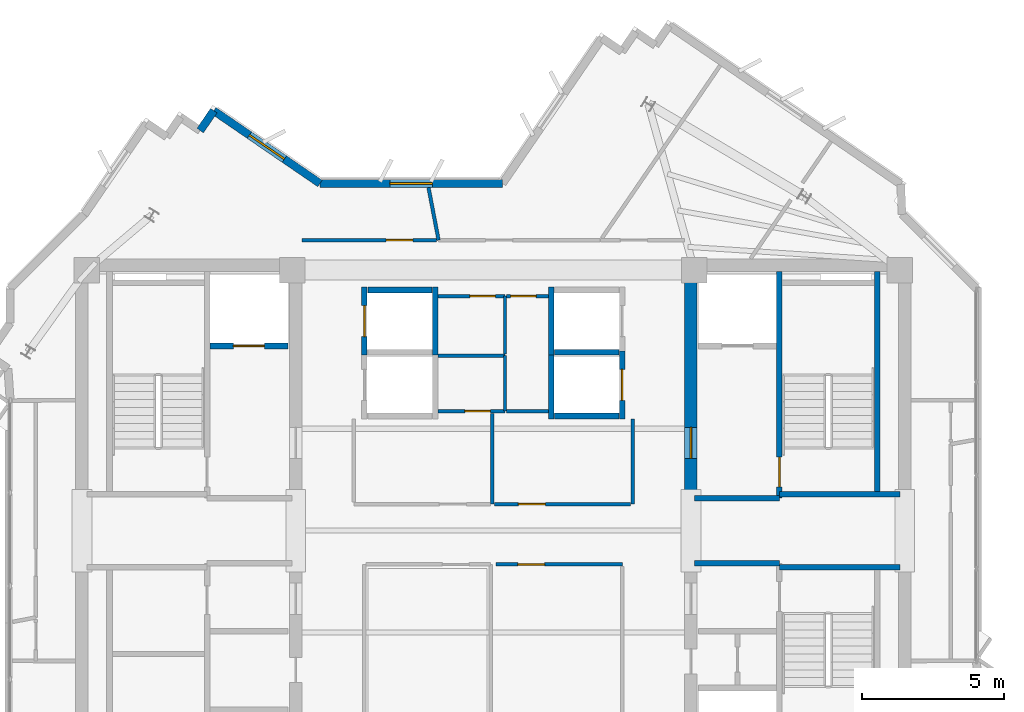
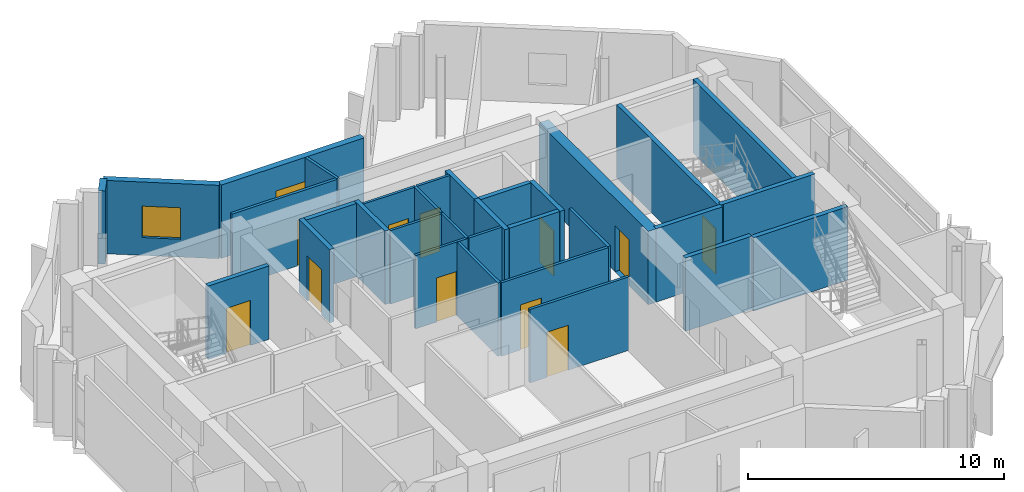
# One storey, part 7 of 11: 32 walls, 11 doors, 2 windows, 13 openings.
"""IFC4 building model written with IfcOpenShell, lengths in metres."""

from ifc_helpers import new_model, si_unit, direction, frame, frame_2d, origin, place, context, subcontext, project, spatial, rectangle, extrude, source, transform, mapped, material, layer, layer_set, type_object, element, fill, save


model = new_model("IFC4")

# Units and contexts
model_context = context("Model", 3, precision=1e-05, world=origin(), true_north=direction((0.0, 1.0)))
body_context = subcontext(model_context, "Body", "Model", "MODEL_VIEW")
ifc_project = project(units=[si_unit("LENGTHUNIT", "METRE"), si_unit("AREAUNIT", "SQUARE_METRE"), si_unit("VOLUMEUNIT", "CUBIC_METRE"), si_unit("PLANEANGLEUNIT", "RADIAN"), si_unit("MASSUNIT", "GRAM", prefix="KILO")], contexts=[model_context])

# Site, building, storey
site_placement = place(None, origin())
site = spatial("IfcSite", under=ifc_project, at=site_placement, CompositionType="ELEMENT")
building_placement = place(site_placement, origin())
building = spatial("IfcBuilding", under=site, at=building_placement, Name="Zahravan Cultural Tower", CompositionType="ELEMENT")
storey_placement = place(building_placement, frame((0.0, 0.0, 334.800048828125)))
storey = spatial("IfcBuildingStorey", under=building, at=storey_placement, Name="L81", CompositionType="ELEMENT", Elevation=334.800048828125)

# Wall, opening, door
ifc_material_1 = material(Name="Concrete C50/60", Category="concrete")
ifc_layer_1 = layer(ifc_material_1, 0.449951171875)
ifc_layer_set_1 = layer_set([ifc_layer_1], Name="Concrete C50/60")
wall_type_1 = type_object("IfcWallType", Name="CW-SHEAR-450-C50", PredefinedType="SHEAR", material=ifc_layer_set_1)
wall_1_placement = place(storey_placement, frame((42.97509765625, 28.050048828125, 0.0), z_axis=(0.0, 0.0, 1.0), x_axis=(0.0, 1.0, 0.0)))
wall_1 = element("IfcWall", 1, at=wall_1_placement, inside=storey, type_object=wall_type_1, Name="L81 Core Shear Wall CW-E-WN-L81", PredefinedType="SHEAR", context=body_context, shape_type="SweptSolid", body=[
    extrude(rectangle(XDim=8.550048828125, YDim=0.449951171875, at=frame_2d((4.27490234375, 0.0))), origin(), (0.0, 0.0, 1.0), 3.5),
])
opening_1_placement = place(wall_1_placement, frame((1.5, 0.0, 0.0)))
opening_1 = element("IfcOpeningElement", 2, at=opening_1_placement, cuts=wall_1, Name="Opening D-L81-07", PredefinedType="OPENING", context=body_context, shape_type="SweptSolid", body=[
    extrude(rectangle(XDim=1.10009765625, YDim=2.199951171875, at=frame_2d((0.550048828125, 1.10009765625))), frame((0.0, 0.23486328125, 0.0), z_axis=(0.0, -1.0, 0.0), x_axis=(1.0, 0.0, 0.0)), (0.0, 0.0, 1.0), 0.469970703125),
])
ifc_material_2 = material(Name="Steel ASTM A572 Grade 50", Category="steel")
door_type_1 = type_object("IfcDoorType", Name="DR-LOBBY-1100", OperationType="NOTDEFINED", PredefinedType="DOOR", material=ifc_material_2)
shared_shape_1 = source(origin(), body_context, "Body", "SweptSolid", [
    extrude(rectangle(XDim=1.10009765625, YDim=2.199951171875, at=frame_2d((0.550048828125, 1.10009765625))), frame((0.0, 0.02490234375, 0.0), z_axis=(0.0, -1.0, 0.0), x_axis=(1.0, 0.0, 0.0)), (0.0, 0.0, 1.0), 0.050048828125),
])
door_1_placement = place(opening_1_placement, origin())
door_1 = element("IfcDoor", 3, at=door_1_placement, inside=storey, type_object=door_type_1, Name="L81 Door D-L81-07", OperationType="SINGLE_SWING_RIGHT", OverallHeight=2.199951171875, OverallWidth=1.10009765625, PredefinedType="DOOR", context=body_context, shape_type="MappedRepresentation", body=[
    mapped(shared_shape_1, transform((0.0, 0.0, 0.0), x_axis=(1.0, 0.0, 0.0), y_axis=(0.0, 1.0, 0.0), z_axis=(0.0, 0.0, 1.0), scale=1.0)),
])
fill(opening_1, door_1)

# Wall, opening, window
ifc_material_3 = material(Name="Precast concrete C40/50", Category="concrete")
ifc_layer_2 = layer(ifc_material_3, 0.280029296875)
ifc_layer_set_2 = layer_set([ifc_layer_2], Name="Precast concrete C40/50")
wall_type_2 = type_object("IfcWallType", Name="EW-TC-280", PredefinedType="SOLIDWALL", material=ifc_layer_set_2)
wall_2_placement = place(storey_placement, frame((26.1318359375, 41.82861328125, 0.0), z_axis=(0.0, 0.0, 1.0), x_axis=(0.825104362901, -0.564980345075, 0.0)))
wall_2 = element("IfcWall", 4, at=wall_2_placement, inside=storey, type_object=wall_type_2, Name="L81 Exterior Masonry Frame Wall 12", PredefinedType="SOLIDWALL", context=body_context, shape_type="SweptSolid", body=[
    extrude(rectangle(XDim=4.54638671875, YDim=0.280029296875, at=frame_2d((2.273193359375, 0.0))), origin(), (0.0, 0.0, 1.0), 3.5),
])
opening_2_placement = place(wall_2_placement, frame((1.52294921875, 0.0, 0.85009765625)))
opening_2 = element("IfcOpeningElement", 5, at=opening_2_placement, cuts=wall_2, Name="Opening WN-03", PredefinedType="OPENING", context=body_context, shape_type="SweptSolid", body=[
    extrude(rectangle(XDim=1.5, YDim=1.5, at=frame_2d((0.75, 0.75))), frame((0.0, 0.14990234375, 0.0), z_axis=(0.0, -1.0, 0.0), x_axis=(1.0, 0.0, 0.0)), (0.0, 0.0, 1.0), 0.300048828125),
])
ifc_material_4 = material(Name="Low-E solar-control double glazing", Category="glass")
window_type = type_object("IfcWindowType", Name="WN-REC-1500X1500", PartitioningType="SINGLE_PANEL", PredefinedType="WINDOW", material=ifc_material_4)
shared_shape_2 = source(origin(), body_context, "Body", "SweptSolid", [
    extrude(rectangle(XDim=1.5, YDim=1.5, at=frame_2d((0.75, 0.75))), frame((0.0, 0.030029296875, 0.0), z_axis=(0.0, -1.0, 0.0), x_axis=(1.0, 0.0, 0.0)), (0.0, 0.0, 1.0), 0.06005859375),
])
window_1_placement = place(opening_2_placement, origin())
window_1 = element("IfcWindow", 6, at=window_1_placement, inside=storey, type_object=window_type, Name="L81 Recessed Solar Window 03", OverallHeight=1.5, OverallWidth=1.5, PartitioningType="SINGLE_PANEL", PredefinedType="WINDOW", context=body_context, shape_type="MappedRepresentation", body=[
    mapped(shared_shape_2, transform((0.0, 0.0, 0.0), x_axis=(1.0, 0.0, 0.0), y_axis=(0.0, 1.0, 0.0), z_axis=(0.0, 0.0, 1.0), scale=1.0)),
])
fill(opening_2, window_1)

wall_3_placement = place(storey_placement, frame((29.883056640625, 39.260009765625, 0.0), z_axis=(0.0, 0.0, 1.0), x_axis=(1.0, 0.0, 0.0)))
wall_3 = element("IfcWall", 7, at=wall_3_placement, inside=storey, type_object=wall_type_2, Name="L81 Exterior Masonry Frame Wall 13", PredefinedType="SOLIDWALL", context=body_context, shape_type="SweptSolid", body=[
    extrude(rectangle(XDim=6.43994140625, YDim=0.280029296875, at=frame_2d((3.219970703125, 0.0))), origin(), (0.0, 0.0, 1.0), 3.5),
])
opening_3_placement = place(wall_3_placement, frame((2.469970703125, 0.0, 0.85009765625)))
opening_3 = element("IfcOpeningElement", 8, at=opening_3_placement, cuts=wall_3, Name="Opening WN-03", PredefinedType="OPENING", context=body_context, shape_type="SweptSolid", body=[
    extrude(rectangle(XDim=1.5, YDim=1.5, at=frame_2d((0.75, 0.75))), frame((0.0, 0.14990234375, 0.0), z_axis=(0.0, -1.0, 0.0), x_axis=(1.0, 0.0, 0.0)), (0.0, 0.0, 1.0), 0.300048828125),
])
window_2_placement = place(opening_3_placement, origin())
window_2 = element("IfcWindow", 9, at=window_2_placement, inside=storey, type_object=window_type, Name="L81 Recessed Solar Window 04", OverallHeight=1.5, OverallWidth=1.5, PartitioningType="SINGLE_PANEL", PredefinedType="WINDOW", context=body_context, shape_type="MappedRepresentation", body=[
    mapped(shared_shape_2, transform((0.0, 0.0, 0.0), x_axis=(1.0, 0.0, 0.0), y_axis=(0.0, 1.0, 0.0), z_axis=(0.0, 0.0, 1.0), scale=1.0)),
])
fill(opening_3, window_2)

# Wall, opening, door
ifc_material_5 = material(Name="Gypsum plasterboard partition")
ifc_layer_3 = layer(ifc_material_5, 0.125)
ifc_layer_set_3 = layer_set([ifc_layer_3], Name="Gypsum plasterboard partition")
wall_type_3 = type_object("IfcWallType", Name="W-PART-125", PredefinedType="PARTITIONING", material=ifc_layer_set_3)
wall_4_placement = place(storey_placement, frame((40.8525390625, 27.93994140625, 0.0), z_axis=(0.0, 0.0, 1.0), x_axis=(-1.0, 0.0, 0.0)))
wall_4 = element("IfcWall", 10, at=wall_4_placement, inside=storey, type_object=wall_type_3, Name="L81 Interior Wall 054", PredefinedType="PARTITIONING", context=body_context, shape_type="SweptSolid", body=[
    extrude(rectangle(XDim=4.81494140625, YDim=0.125, at=frame_2d((2.407470703125, 0.0))), origin(), (0.0, 0.0, 1.0), 3.5),
])
opening_4_placement = place(wall_4_placement, frame((3.0146484375, 0.0, 0.0)))
opening_4 = element("IfcOpeningElement", 11, at=opening_4_placement, cuts=wall_4, Name="Opening D-L81-19", PredefinedType="OPENING", context=body_context, shape_type="SweptSolid", body=[
    extrude(rectangle(XDim=0.949951171875, YDim=2.14990234375, at=frame_2d((0.47509765625, 1.074951171875))), frame((0.0, 0.072509765625, 0.0), z_axis=(0.0, -1.0, 0.0), x_axis=(1.0, 0.0, 0.0)), (0.0, 0.0, 1.0), 0.14501953125),
])
ifc_material_6 = material(Name="Anodised bronze-aluminium mullion", Category="aluminium")
door_type_2 = type_object("IfcDoorType", Name="DR-ROOM-950", OperationType="NOTDEFINED", PredefinedType="DOOR", material=ifc_material_6)
shared_shape_3 = source(origin(), body_context, "Body", "SweptSolid", [
    extrude(rectangle(XDim=0.949951171875, YDim=2.14990234375, at=frame_2d((0.47509765625, 1.074951171875))), frame((0.0, 0.02490234375, 0.0), z_axis=(0.0, -1.0, 0.0), x_axis=(1.0, 0.0, 0.0)), (0.0, 0.0, 1.0), 0.050048828125),
])
door_2_placement = place(opening_4_placement, origin())
door_2 = element("IfcDoor", 12, at=door_2_placement, inside=storey, type_object=door_type_2, Name="L81 Door D-L81-19", OperationType="SINGLE_SWING_RIGHT", OverallHeight=2.14990234375, OverallWidth=0.949951171875, PredefinedType="DOOR", context=body_context, shape_type="MappedRepresentation", body=[
    mapped(shared_shape_3, transform((0.0, 0.0, 0.0), x_axis=(1.0, 0.0, 0.0), y_axis=(0.0, 1.0, 0.0), z_axis=(0.0, 0.0, 1.0), scale=1.0)),
])
fill(opening_4, door_2)

wall_5_placement = place(storey_placement, frame((36.090087890625, 25.81005859375, 0.0), z_axis=(0.0, 0.0, 1.0), x_axis=(1.0, 0.0, 0.0)))
wall_5 = element("IfcWall", 13, at=wall_5_placement, inside=storey, type_object=wall_type_3, Name="L81 Interior Wall 088", PredefinedType="PARTITIONING", context=body_context, shape_type="SweptSolid", body=[
    extrude(rectangle(XDim=4.469970703125, YDim=0.125, at=frame_2d((2.23486328125, 0.0))), origin(), (0.0, 0.0, 1.0), 3.5),
])
opening_5_placement = place(wall_5_placement, frame((0.7744140625, 0.0, 0.0)))
opening_5 = element("IfcOpeningElement", 14, at=opening_5_placement, cuts=wall_5, Name="Opening D-L81-15", PredefinedType="OPENING", context=body_context, shape_type="SweptSolid", body=[
    extrude(rectangle(XDim=0.949951171875, YDim=2.14990234375, at=frame_2d((0.47509765625, 1.074951171875))), frame((0.0, 0.072509765625, 0.0), z_axis=(0.0, -1.0, 0.0), x_axis=(1.0, 0.0, 0.0)), (0.0, 0.0, 1.0), 0.14501953125),
])
door_3_placement = place(opening_5_placement, origin())
door_3 = element("IfcDoor", 15, at=door_3_placement, inside=storey, type_object=door_type_2, Name="L81 Door D-L81-15", OperationType="SINGLE_SWING_RIGHT", OverallHeight=2.14990234375, OverallWidth=0.949951171875, PredefinedType="DOOR", context=body_context, shape_type="MappedRepresentation", body=[
    mapped(shared_shape_3, transform((0.0, 0.0, 0.0), x_axis=(1.0, 0.0, 0.0), y_axis=(0.0, 1.0, 0.0), z_axis=(0.0, 0.0, 1.0), scale=1.0)),
])
fill(opening_5, door_3)

wall_6_placement = place(storey_placement, frame((34.000244140625, 37.260009765625, 0.0), z_axis=(0.0, 0.0, 1.0), x_axis=(-0.999999994709, -0.000102870075, 0.0)))
wall_6 = element("IfcWall", 16, at=wall_6_placement, inside=storey, type_object=wall_type_3, Name="L81 Interior Wall 094", PredefinedType="PARTITIONING", context=body_context, shape_type="SweptSolid", body=[
    extrude(rectangle(XDim=4.74658203125, YDim=0.125, at=frame_2d((2.373291015625, 0.0))), origin(), (0.0, 0.0, 1.0), 3.5),
])
opening_6_placement = place(wall_6_placement, frame((0.835205078125, 0.0, 0.0)))
opening_6 = element("IfcOpeningElement", 17, at=opening_6_placement, cuts=wall_6, Name="Opening D-L81-23", PredefinedType="OPENING", context=body_context, shape_type="SweptSolid", body=[
    extrude(rectangle(XDim=0.949951171875, YDim=2.14990234375, at=frame_2d((0.47509765625, 1.074951171875))), frame((0.0, 0.072509765625, 0.0), z_axis=(0.0, -1.0, 0.0), x_axis=(1.0, 0.0, 0.0)), (0.0, 0.0, 1.0), 0.14501953125),
])
door_4_placement = place(opening_6_placement, origin())
door_4 = element("IfcDoor", 18, at=door_4_placement, inside=storey, type_object=door_type_2, Name="L81 Door D-L81-23", OperationType="SINGLE_SWING_RIGHT", OverallHeight=2.14990234375, OverallWidth=0.949951171875, PredefinedType="DOOR", context=body_context, shape_type="MappedRepresentation", body=[
    mapped(shared_shape_3, transform((0.0, 0.0, 0.0), x_axis=(1.0, 0.0, 0.0), y_axis=(0.0, 1.0, 0.0), z_axis=(0.0, 0.0, 1.0), scale=1.0)),
])
fill(opening_6, door_4)

ifc_material_7 = material(Name="Concrete C45/55", Category="concrete")
ifc_layer_4 = layer(ifc_material_7, 0.199951171875)
ifc_layer_set_4 = layer_set([ifc_layer_4], Name="Concrete C45/55")
wall_type_4 = type_object("IfcWallType", Name="W-SHAFT-200", PredefinedType="SOLIDWALL", material=ifc_layer_set_4)
wall_7_placement = place(storey_placement, frame((46.10009765625, 28.14990234375, 0.0), z_axis=(0.0, 0.0, 1.0), x_axis=(0.0, 1.0, 0.0)))
wall_7 = element("IfcWall", 19, at=wall_7_placement, inside=storey, type_object=wall_type_4, Name="L81 Interior Wall 008", PredefinedType="SOLIDWALL", context=body_context, shape_type="SweptSolid", body=[
    extrude(rectangle(XDim=8.0, YDim=0.199951171875, at=frame_2d((4.0, 0.0))), origin(), (0.0, 0.0, 1.0), 3.5),
])
opening_7_placement = place(wall_7_placement, frame((0.39990234375, 0.0, 0.0)))
opening_7 = element("IfcOpeningElement", 20, at=opening_7_placement, cuts=wall_7, Name="Opening D-L81-02", PredefinedType="OPENING", context=body_context, shape_type="SweptSolid", body=[
    extrude(rectangle(XDim=1.050048828125, YDim=2.14990234375, at=frame_2d((0.52490234375, 1.074951171875))), frame((0.0, 0.10986328125, 0.0), z_axis=(0.0, -1.0, 0.0), x_axis=(1.0, 0.0, 0.0)), (0.0, 0.0, 1.0), 0.219970703125),
])
door_type_3 = type_object("IfcDoorType", Name="DR-STAIR-1050", OperationType="NOTDEFINED", PredefinedType="DOOR", material=ifc_material_2)
shared_shape_4 = source(origin(), body_context, "Body", "SweptSolid", [
    extrude(rectangle(XDim=1.050048828125, YDim=2.14990234375, at=frame_2d((0.52490234375, 1.074951171875))), frame((0.0, 0.02490234375, 0.0), z_axis=(0.0, -1.0, 0.0), x_axis=(1.0, 0.0, 0.0)), (0.0, 0.0, 1.0), 0.050048828125),
])
door_5_placement = place(opening_7_placement, origin())
door_5 = element("IfcDoor", 21, at=door_5_placement, inside=storey, type_object=door_type_3, Name="L81 Door D-L81-02", OperationType="SINGLE_SWING_LEFT", OverallHeight=2.14990234375, OverallWidth=1.050048828125, PredefinedType="DOOR", context=body_context, shape_type="MappedRepresentation", body=[
    mapped(shared_shape_4, transform((0.0, 0.0, 0.0), x_axis=(1.0, 0.0, 0.0), y_axis=(0.0, 1.0, 0.0), z_axis=(0.0, 0.0, 1.0), scale=1.0)),
])
fill(opening_7, door_5)

wall_8_placement = place(storey_placement, frame((26.0, 33.52001953125, 0.0), z_axis=(0.0, 0.0, 1.0), x_axis=(1.0, 0.0, 0.0)))
wall_8 = element("IfcWall", 22, at=wall_8_placement, inside=storey, type_object=wall_type_4, Name="L81 Interior Wall 022", PredefinedType="SOLIDWALL", context=body_context, shape_type="SweptSolid", body=[
    extrude(rectangle(XDim=2.75, YDim=0.199951171875, at=frame_2d((1.375, 0.0))), origin(), (0.0, 0.0, 1.0), 3.5),
])
opening_8_placement = place(wall_8_placement, frame((0.820068359375, 0.0, 0.0)))
opening_8 = element("IfcOpeningElement", 23, at=opening_8_placement, cuts=wall_8, Name="Opening LD-L81-01", PredefinedType="OPENING", context=body_context, shape_type="SweptSolid", body=[
    extrude(rectangle(XDim=1.10009765625, YDim=2.14990234375, at=frame_2d((0.550048828125, 1.074951171875))), frame((0.0, 0.10986328125, 0.0), z_axis=(0.0, -1.0, 0.0), x_axis=(1.0, 0.0, 0.0)), (0.0, 0.0, 1.0), 0.219970703125),
])
door_type_4 = type_object("IfcDoorType", Name="DR-LIFT-1100", OperationType="DOUBLE_DOOR_SLIDING", PredefinedType="DOOR", material=ifc_material_2)
shared_shape_5 = source(origin(), body_context, "Body", "SweptSolid", [
    extrude(rectangle(XDim=1.10009765625, YDim=2.14990234375, at=frame_2d((0.550048828125, 1.074951171875))), frame((0.0, 0.02490234375, 0.0), z_axis=(0.0, -1.0, 0.0), x_axis=(1.0, 0.0, 0.0)), (0.0, 0.0, 1.0), 0.050048828125),
])
door_6_placement = place(opening_8_placement, origin())
door_6 = element("IfcDoor", 24, at=door_6_placement, inside=storey, type_object=door_type_4, Name="L81 Door LD-L81-01", OperationType="DOUBLE_DOOR_SLIDING", OverallHeight=2.14990234375, OverallWidth=1.10009765625, PredefinedType="DOOR", context=body_context, shape_type="MappedRepresentation", body=[
    mapped(shared_shape_5, transform((0.0, 0.0, 0.0), x_axis=(1.0, 0.0, 0.0), y_axis=(0.0, 1.0, 0.0), z_axis=(0.0, 0.0, 1.0), scale=1.0)),
])
fill(opening_8, door_6)

wall_9_placement = place(storey_placement, frame((31.449951171875, 33.199951171875, 0.0), z_axis=(0.0, 0.0, 1.0), x_axis=(0.0, 1.0, 0.0)))
wall_9 = element("IfcWall", 25, at=wall_9_placement, inside=storey, type_object=wall_type_4, Name="L81 Interior Wall 029", PredefinedType="SOLIDWALL", context=body_context, shape_type="SweptSolid", body=[
    extrude(rectangle(XDim=2.400146484375, YDim=0.199951171875, at=frame_2d((1.2001953125, 0.0))), origin(), (0.0, 0.0, 1.0), 3.5),
])
opening_9_placement = place(wall_9_placement, frame((0.64990234375, 0.0, 0.0)))
opening_9 = element("IfcOpeningElement", 26, at=opening_9_placement, cuts=wall_9, Name="Opening LD-L81-04", PredefinedType="OPENING", context=body_context, shape_type="SweptSolid", body=[
    extrude(rectangle(XDim=1.10009765625, YDim=2.14990234375, at=frame_2d((0.550048828125, 1.074951171875))), frame((0.0, 0.10986328125, 0.0), z_axis=(0.0, -1.0, 0.0), x_axis=(1.0, 0.0, 0.0)), (0.0, 0.0, 1.0), 0.219970703125),
])
door_7_placement = place(opening_9_placement, origin())
door_7 = element("IfcDoor", 27, at=door_7_placement, inside=storey, type_object=door_type_4, Name="L81 Door LD-L81-04", OperationType="DOUBLE_DOOR_SLIDING", OverallHeight=2.14990234375, OverallWidth=1.10009765625, PredefinedType="DOOR", context=body_context, shape_type="MappedRepresentation", body=[
    mapped(shared_shape_5, transform((0.0, 0.0, 0.0), x_axis=(1.0, 0.0, 0.0), y_axis=(0.0, 1.0, 0.0), z_axis=(0.0, 0.0, 1.0), scale=1.0)),
])
fill(opening_9, door_7)

wall_10_placement = place(storey_placement, frame((40.550048828125, 30.949951171875, 0.0), z_axis=(0.0, 0.0, 1.0), x_axis=(0.0, 1.0, 0.0)))
wall_10 = element("IfcWall", 28, at=wall_10_placement, inside=storey, type_object=wall_type_4, Name="L81 Interior Wall 041", PredefinedType="SOLIDWALL", context=body_context, shape_type="SweptSolid", body=[
    extrude(rectangle(XDim=2.400146484375, YDim=0.199951171875, at=frame_2d((1.2001953125, 0.0))), origin(), (0.0, 0.0, 1.0), 3.5),
])
opening_10_placement = place(wall_10_placement, frame((0.64990234375, 0.0, 0.0)))
opening_10 = element("IfcOpeningElement", 29, at=opening_10_placement, cuts=wall_10, Name="Opening LD-L81-07", PredefinedType="OPENING", context=body_context, shape_type="SweptSolid", body=[
    extrude(rectangle(XDim=1.10009765625, YDim=2.14990234375, at=frame_2d((0.550048828125, 1.074951171875))), frame((0.0, 0.10986328125, 0.0), z_axis=(0.0, -1.0, 0.0), x_axis=(1.0, 0.0, 0.0)), (0.0, 0.0, 1.0), 0.219970703125),
])
door_8_placement = place(opening_10_placement, origin())
door_8 = element("IfcDoor", 30, at=door_8_placement, inside=storey, type_object=door_type_4, Name="L81 Door LD-L81-07", OperationType="DOUBLE_DOOR_SLIDING", OverallHeight=2.14990234375, OverallWidth=1.10009765625, PredefinedType="DOOR", context=body_context, shape_type="MappedRepresentation", body=[
    mapped(shared_shape_5, transform((0.0, 0.0, 0.0), x_axis=(1.0, 0.0, 0.0), y_axis=(0.0, 1.0, 0.0), z_axis=(0.0, 0.0, 1.0), scale=1.0)),
])
fill(opening_10, door_8)

ifc_layer_5 = layer(ifc_material_5, 0.114990234375)
ifc_layer_set_5 = layer_set([ifc_layer_5], Name="Gypsum plasterboard partition")
wall_type_5 = type_object("IfcWallType", Name="W-WC-115", PredefinedType="PARTITIONING", material=ifc_layer_set_5)
wall_11_placement = place(storey_placement, frame((36.409912109375, 31.219970703125, 0.0), z_axis=(0.0, 0.0, 1.0), x_axis=(-1.0, 0.0, 0.0)))
wall_11 = element("IfcWall", 31, at=wall_11_placement, inside=storey, type_object=wall_type_5, Name="L81 Interior Wall 043", PredefinedType="PARTITIONING", context=body_context, shape_type="SweptSolid", body=[
    extrude(rectangle(XDim=2.35498046875, YDim=0.114990234375, at=frame_2d((1.177490234375, 0.0))), origin(), (0.0, 0.0, 1.0), 3.5),
])
opening_11_placement = place(wall_11_placement, frame((0.5166015625, 0.0, 0.0)))
opening_11 = element("IfcOpeningElement", 32, at=opening_11_placement, cuts=wall_11, Name="Opening D-L81-30", PredefinedType="OPENING", context=body_context, shape_type="SweptSolid", body=[
    extrude(rectangle(XDim=0.89990234375, YDim=2.10009765625, at=frame_2d((0.449951171875, 1.050048828125))), frame((0.0, 0.0673828125, 0.0), z_axis=(0.0, -1.0, 0.0), x_axis=(1.0, 0.0, 0.0)), (0.0, 0.0, 1.0), 0.135009765625),
])
door_type_5 = type_object("IfcDoorType", Name="DR-WC-900", OperationType="NOTDEFINED", PredefinedType="DOOR", material=ifc_material_6)
shared_shape_6 = source(origin(), body_context, "Body", "SweptSolid", [
    extrude(rectangle(XDim=0.89990234375, YDim=2.10009765625, at=frame_2d((0.449951171875, 1.050048828125))), frame((0.0, 0.02490234375, 0.0), z_axis=(0.0, -1.0, 0.0), x_axis=(1.0, 0.0, 0.0)), (0.0, 0.0, 1.0), 0.050048828125),
])
door_9_placement = place(opening_11_placement, origin())
door_9 = element("IfcDoor", 33, at=door_9_placement, inside=storey, type_object=door_type_5, Name="L81 Door D-L81-30", OperationType="SINGLE_SWING_LEFT", OverallHeight=2.10009765625, OverallWidth=0.89990234375, PredefinedType="DOOR", context=body_context, shape_type="MappedRepresentation", body=[
    mapped(shared_shape_6, transform((0.0, 0.0, 0.0), x_axis=(1.0, 0.0, 0.0), y_axis=(0.0, 1.0, 0.0), z_axis=(0.0, 0.0, 1.0), scale=1.0)),
])
fill(opening_11, door_9)

wall_12_placement = place(storey_placement, frame((34.054931640625, 35.280029296875, 0.0), z_axis=(0.0, 0.0, 1.0), x_axis=(1.0, 0.0, 0.0)))
wall_12 = element("IfcWall", 34, at=wall_12_placement, inside=storey, type_object=wall_type_5, Name="L81 Interior Wall 046", PredefinedType="PARTITIONING", context=body_context, shape_type="SweptSolid", body=[
    extrude(rectangle(XDim=2.35498046875, YDim=0.114990234375, at=frame_2d((1.177490234375, 0.0))), origin(), (0.0, 0.0, 1.0), 3.5),
])
opening_12_placement = place(wall_12_placement, frame((1.120849609375, 0.0, 0.0)))
opening_12 = element("IfcOpeningElement", 35, at=opening_12_placement, cuts=wall_12, Name="Opening D-L81-16", PredefinedType="OPENING", context=body_context, shape_type="SweptSolid", body=[
    extrude(rectangle(XDim=0.89990234375, YDim=2.10009765625, at=frame_2d((0.449951171875, 1.050048828125))), frame((0.0, 0.0673828125, 0.0), z_axis=(0.0, -1.0, 0.0), x_axis=(1.0, 0.0, 0.0)), (0.0, 0.0, 1.0), 0.135009765625),
])
door_10_placement = place(opening_12_placement, origin())
door_10 = element("IfcDoor", 36, at=door_10_placement, inside=storey, type_object=door_type_5, Name="L81 Door D-L81-16", OperationType="SINGLE_SWING_LEFT", OverallHeight=2.10009765625, OverallWidth=0.89990234375, PredefinedType="DOOR", context=body_context, shape_type="MappedRepresentation", body=[
    mapped(shared_shape_6, transform((0.0, 0.0, 0.0), x_axis=(1.0, 0.0, 0.0), y_axis=(0.0, 1.0, 0.0), z_axis=(0.0, 0.0, 1.0), scale=1.0)),
])
fill(opening_12, door_10)

wall_13_placement = place(storey_placement, frame((36.472412109375, 35.280029296875, 0.0), z_axis=(0.0, 0.0, 1.0), x_axis=(1.0, 0.0, 0.0)))
wall_13 = element("IfcWall", 37, at=wall_13_placement, inside=storey, type_object=wall_type_5, Name="L81 Interior Wall 049", PredefinedType="PARTITIONING", context=body_context, shape_type="SweptSolid", body=[
    extrude(rectangle(XDim=1.47265625, YDim=0.114990234375, at=frame_2d((0.736328125, 0.0))), origin(), (0.0, 0.0, 1.0), 3.5),
])
opening_13_placement = place(wall_13_placement, frame((0.139892578125, 0.0, 0.0)))
opening_13 = element("IfcOpeningElement", 38, at=opening_13_placement, cuts=wall_13, Name="Opening D-L81-17", PredefinedType="OPENING", context=body_context, shape_type="SweptSolid", body=[
    extrude(rectangle(XDim=0.89990234375, YDim=2.10009765625, at=frame_2d((0.449951171875, 1.050048828125))), frame((0.0, 0.0673828125, 0.0), z_axis=(0.0, -1.0, 0.0), x_axis=(1.0, 0.0, 0.0)), (0.0, 0.0, 1.0), 0.135009765625),
])
door_11_placement = place(opening_13_placement, origin())
door_11 = element("IfcDoor", 39, at=door_11_placement, inside=storey, type_object=door_type_5, Name="L81 Door D-L81-17", OperationType="SINGLE_SWING_RIGHT", OverallHeight=2.10009765625, OverallWidth=0.89990234375, PredefinedType="DOOR", context=body_context, shape_type="MappedRepresentation", body=[
    mapped(shared_shape_6, transform((0.0, 0.0, 0.0), x_axis=(1.0, 0.0, 0.0), y_axis=(0.0, 1.0, 0.0), z_axis=(0.0, 0.0, 1.0), scale=1.0)),
])
fill(opening_13, door_11)

# Walls
shared_shape_7 = source(origin(), body_context, "Body", "SweptSolid", [
    extrude(rectangle(XDim=0.85009765625, YDim=0.280029296875, at=frame_2d((0.425048828125, 0.0))), origin(), (0.0, 0.0, 1.0), 3.5),
])
wall_14_placement = place(storey_placement, frame((25.651611328125, 41.127197265625, 0.0), z_axis=(0.0, 0.0, 1.0), x_axis=(0.564930994418, 0.825138153006, 0.0)))
element("IfcWall", 40, at=wall_14_placement, inside=storey, type_object=wall_type_2, Name="L81 Exterior Masonry Frame Wall 11", PredefinedType="SOLIDWALL", context=body_context, shape_type="MappedRepresentation", body=[
    mapped(shared_shape_7, transform((0.0, 0.0, 0.0), x_axis=(1.0, 0.0, 0.0), y_axis=(0.0, 1.0, 0.0), z_axis=(0.0, 0.0, 1.0), scale=1.0)),
])
shared_shape_8 = source(origin(), body_context, "Body", "SweptSolid", [
    extrude(rectangle(XDim=7.869873046875, YDim=0.199951171875, at=frame_2d((3.93505859375, 0.0))), origin(), (0.0, 0.0, 1.0), 3.5),
])
wall_15_placement = place(storey_placement, frame((49.550048828125, 28.280029296875, 0.0), z_axis=(0.0, 0.0, 1.0), x_axis=(0.0, 1.0, 0.0)))
element("IfcWall", 41, at=wall_15_placement, inside=storey, type_object=wall_type_4, Name="L81 Interior Wall 004", PredefinedType="SOLIDWALL", context=body_context, shape_type="MappedRepresentation", body=[
    mapped(shared_shape_8, transform((0.0, 0.0, 0.0), x_axis=(1.0, 0.0, 0.0), y_axis=(0.0, 1.0, 0.0), z_axis=(0.0, 0.0, 1.0), scale=1.0)),
])
shared_shape_9 = source(origin(), body_context, "Body", "SweptSolid", [
    extrude(rectangle(XDim=4.25, YDim=0.199951171875, at=frame_2d((2.125, 0.0))), origin(), (0.0, 0.0, 1.0), 3.5),
])
for number, where, z_axis, x_axis, name in (
    (42, (46.10009765625, 25.715087890625, 0.0), (0.0, 0.0, 1.0), (1.0, 0.0, 0.0), "L81 Interior Wall 014"),
    (43, (46.10009765625, 28.284912109375, 0.0), (0.0, 0.0, 1.0), (1.0, 0.0, 0.0), "L81 Interior Wall 016"),
):
    element("IfcWall", number, at=place(storey_placement, frame(where, z_axis=z_axis, x_axis=x_axis)), inside=storey, type_object=wall_type_4, Name=name, PredefinedType="SOLIDWALL", context=body_context, shape_type="MappedRepresentation", body=[
        mapped(shared_shape_9, transform((0.0, 0.0, 0.0), x_axis=(1.0, 0.0, 0.0), y_axis=(0.0, 1.0, 0.0), z_axis=(0.0, 0.0, 1.0), scale=1.0)),
    ])
shared_shape_10 = source(origin(), body_context, "Body", "SweptSolid", [
    extrude(rectangle(XDim=3.0, YDim=0.199951171875, at=frame_2d((1.5, 0.0))), origin(), (0.0, 0.0, 1.0), 3.5),
])
for number, where, z_axis, x_axis, name in (
    (44, (43.10009765625, 25.85009765625, 0.0), (0.0, 0.0, 1.0), (1.0, 0.0, 0.0), "L81 Interior Wall 013"),
    (45, (43.10009765625, 28.14990234375, 0.0), (0.0, 0.0, 1.0), (1.0, 0.0, 0.0), "L81 Interior Wall 015"),
):
    element("IfcWall", number, at=place(storey_placement, frame(where, z_axis=z_axis, x_axis=x_axis)), inside=storey, type_object=wall_type_4, Name=name, PredefinedType="SOLIDWALL", context=body_context, shape_type="MappedRepresentation", body=[
        mapped(shared_shape_10, transform((0.0, 0.0, 0.0), x_axis=(1.0, 0.0, 0.0), y_axis=(0.0, 1.0, 0.0), z_axis=(0.0, 0.0, 1.0), scale=1.0)),
    ])
shared_shape_11 = source(origin(), body_context, "Body", "SweptSolid", [
    extrude(rectangle(XDim=2.400146484375, YDim=0.199951171875, at=frame_2d((1.2001953125, 0.0))), origin(), (0.0, 0.0, 1.0), 3.5),
])
for number, where, z_axis, x_axis, name in (
    (46, (33.949951171875, 33.199951171875, 0.0), (0.0, 0.0, 1.0), (0.0, 1.0, 0.0), "L81 Interior Wall 030"),
    (47, (38.050048828125, 33.199951171875, 0.0), (0.0, 0.0, 1.0), (0.0, 1.0, 0.0), "L81 Interior Wall 036"),
    (48, (38.050048828125, 30.949951171875, 0.0), (0.0, 0.0, 1.0), (0.0, 1.0, 0.0), "L81 Interior Wall 040"),
):
    element("IfcWall", number, at=place(storey_placement, frame(where, z_axis=z_axis, x_axis=x_axis)), inside=storey, type_object=wall_type_4, Name=name, PredefinedType="SOLIDWALL", context=body_context, shape_type="MappedRepresentation", body=[
        mapped(shared_shape_11, transform((0.0, 0.0, 0.0), x_axis=(1.0, 0.0, 0.0), y_axis=(0.0, 1.0, 0.0), z_axis=(0.0, 0.0, 1.0), scale=1.0)),
    ])
shared_shape_12 = source(origin(), body_context, "Body", "SweptSolid", [
    extrude(rectangle(XDim=2.260009765625, YDim=0.199951171875, at=frame_2d((1.1298828125, 0.0))), origin(), (0.0, 0.0, 1.0), 3.5),
])
for number, where, z_axis, x_axis, name in (
    (49, (31.570068359375, 35.5, 0.0), (0.0, 0.0, 1.0), (1.0, 0.0, 0.0), "L81 Interior Wall 032"),
    (50, (38.169921875, 33.300048828125, 0.0), (0.0, 0.0, 1.0), (1.0, 0.0, 0.0), "L81 Interior Wall 038"),
    (51, (38.169921875, 31.050048828125, 0.0), (0.0, 0.0, 1.0), (1.0, 0.0, 0.0), "L81 Interior Wall 042"),
):
    element("IfcWall", number, at=place(storey_placement, frame(where, z_axis=z_axis, x_axis=x_axis)), inside=storey, type_object=wall_type_4, Name=name, PredefinedType="SOLIDWALL", context=body_context, shape_type="MappedRepresentation", body=[
        mapped(shared_shape_12, transform((0.0, 0.0, 0.0), x_axis=(1.0, 0.0, 0.0), y_axis=(0.0, 1.0, 0.0), z_axis=(0.0, 0.0, 1.0), scale=1.0)),
    ])
shared_shape_13 = source(origin(), body_context, "Body", "SweptSolid", [
    extrude(rectangle(XDim=1.9599609375, YDim=0.114990234375, at=frame_2d((0.97998046875, 0.0))), origin(), (0.0, 0.0, 1.0), 3.5),
])
wall_16_placement = place(storey_placement, frame((36.409912109375, 33.179931640625, 0.0), z_axis=(0.0, 0.0, 1.0), x_axis=(0.0, -1.0, 0.0)))
element("IfcWall", 52, at=wall_16_placement, inside=storey, type_object=wall_type_5, Name="L81 Interior Wall 045", PredefinedType="PARTITIONING", context=body_context, shape_type="MappedRepresentation", body=[
    mapped(shared_shape_13, transform((0.0, 0.0, 0.0), x_axis=(1.0, 0.0, 0.0), y_axis=(0.0, 1.0, 0.0), z_axis=(0.0, 0.0, 1.0), scale=1.0)),
])
shared_shape_14 = source(origin(), body_context, "Body", "SweptSolid", [
    extrude(rectangle(XDim=2.0400390625, YDim=0.114990234375, at=frame_2d((1.02001953125, 0.0))), origin(), (0.0, 0.0, 1.0), 3.5),
])
wall_17_placement = place(storey_placement, frame((36.409912109375, 35.280029296875, 0.0), z_axis=(0.0, 0.0, 1.0), x_axis=(0.0, -1.0, 0.0)))
element("IfcWall", 53, at=wall_17_placement, inside=storey, type_object=wall_type_5, Name="L81 Interior Wall 047", PredefinedType="PARTITIONING", context=body_context, shape_type="MappedRepresentation", body=[
    mapped(shared_shape_14, transform((0.0, 0.0, 0.0), x_axis=(1.0, 0.0, 0.0), y_axis=(0.0, 1.0, 0.0), z_axis=(0.0, 0.0, 1.0), scale=1.0)),
])
shared_shape_15 = source(origin(), body_context, "Body", "SweptSolid", [
    extrude(rectangle(XDim=1.47265625, YDim=0.114990234375, at=frame_2d((0.736328125, 0.0))), origin(), (0.0, 0.0, 1.0), 3.5),
])
wall_18_placement = place(storey_placement, frame((37.945068359375, 31.219970703125, 0.0), z_axis=(0.0, 0.0, 1.0), x_axis=(-1.0, 0.0, 0.0)))
element("IfcWall", 54, at=wall_18_placement, inside=storey, type_object=wall_type_5, Name="L81 Interior Wall 048", PredefinedType="PARTITIONING", context=body_context, shape_type="MappedRepresentation", body=[
    mapped(shared_shape_15, transform((0.0, 0.0, 0.0), x_axis=(1.0, 0.0, 0.0), y_axis=(0.0, 1.0, 0.0), z_axis=(0.0, 0.0, 1.0), scale=1.0)),
])
shared_shape_16 = source(origin(), body_context, "Body", "SweptSolid", [
    extrude(rectangle(XDim=3.199951171875, YDim=0.125, at=frame_2d((1.60009765625, 0.0))), origin(), (0.0, 0.0, 1.0), 3.5),
])
wall_19_placement = place(storey_placement, frame((35.969970703125, 31.139892578125, 0.0), z_axis=(0.0, 0.0, 1.0), x_axis=(0.0, -1.0, 0.0)))
element("IfcWall", 55, at=wall_19_placement, inside=storey, type_object=wall_type_3, Name="L81 Interior Wall 050", PredefinedType="PARTITIONING", context=body_context, shape_type="MappedRepresentation", body=[
    mapped(shared_shape_16, transform((0.0, 0.0, 0.0), x_axis=(1.0, 0.0, 0.0), y_axis=(0.0, 1.0, 0.0), z_axis=(0.0, 0.0, 1.0), scale=1.0)),
])
shared_shape_17 = source(origin(), body_context, "Body", "SweptSolid", [
    extrude(rectangle(XDim=3.010009765625, YDim=0.125, at=frame_2d((1.5048828125, 0.0))), origin(), (0.0, 0.0, 1.0), 3.5),
])
wall_20_placement = place(storey_placement, frame((40.919921875, 30.949951171875, 0.0), z_axis=(0.0, 0.0, 1.0), x_axis=(0.0, -1.0, 0.0)))
element("IfcWall", 56, at=wall_20_placement, inside=storey, type_object=wall_type_3, Name="L81 Interior Wall 053", PredefinedType="PARTITIONING", context=body_context, shape_type="MappedRepresentation", body=[
    mapped(shared_shape_17, transform((0.0, 0.0, 0.0), x_axis=(1.0, 0.0, 0.0), y_axis=(0.0, 1.0, 0.0), z_axis=(0.0, 0.0, 1.0), scale=1.0)),
])
shared_shape_18 = source(origin(), body_context, "Body", "SweptSolid", [
    extrude(rectangle(XDim=2.35498046875, YDim=0.114990234375, at=frame_2d((1.177490234375, 0.0))), origin(), (0.0, 0.0, 1.0), 3.5),
])
wall_21_placement = place(storey_placement, frame((34.054931640625, 33.179931640625, 0.0), z_axis=(0.0, 0.0, 1.0), x_axis=(1.0, 0.0, 0.0)))
element("IfcWall", 57, at=wall_21_placement, inside=storey, type_object=wall_type_5, Name="L81 Interior Wall 044", PredefinedType="PARTITIONING", context=body_context, shape_type="MappedRepresentation", body=[
    mapped(shared_shape_18, transform((0.0, 0.0, 0.0), x_axis=(1.0, 0.0, 0.0), y_axis=(0.0, 1.0, 0.0), z_axis=(0.0, 0.0, 1.0), scale=1.0)),
])
shared_shape_19 = source(origin(), body_context, "Body", "SweptSolid", [
    extrude(rectangle(XDim=1.888916015625, YDim=0.125, at=frame_2d((0.9443359375, 0.0))), origin(), (0.0, 0.0, 1.0), 3.5),
])
wall_22_placement = place(storey_placement, frame((34.06884765625, 37.260009765625, 0.0), z_axis=(0.0, 0.0, 1.0), x_axis=(-0.188454265316, 0.982081966989, 0.0)))
element("IfcWall", 58, at=wall_22_placement, inside=storey, type_object=wall_type_3, Name="L81 Interior Wall 091", PredefinedType="PARTITIONING", context=body_context, shape_type="MappedRepresentation", body=[
    mapped(shared_shape_19, transform((0.0, 0.0, 0.0), x_axis=(1.0, 0.0, 0.0), y_axis=(0.0, 1.0, 0.0), z_axis=(0.0, 0.0, 1.0), scale=1.0)),
])

save(model, "model.ifc")
